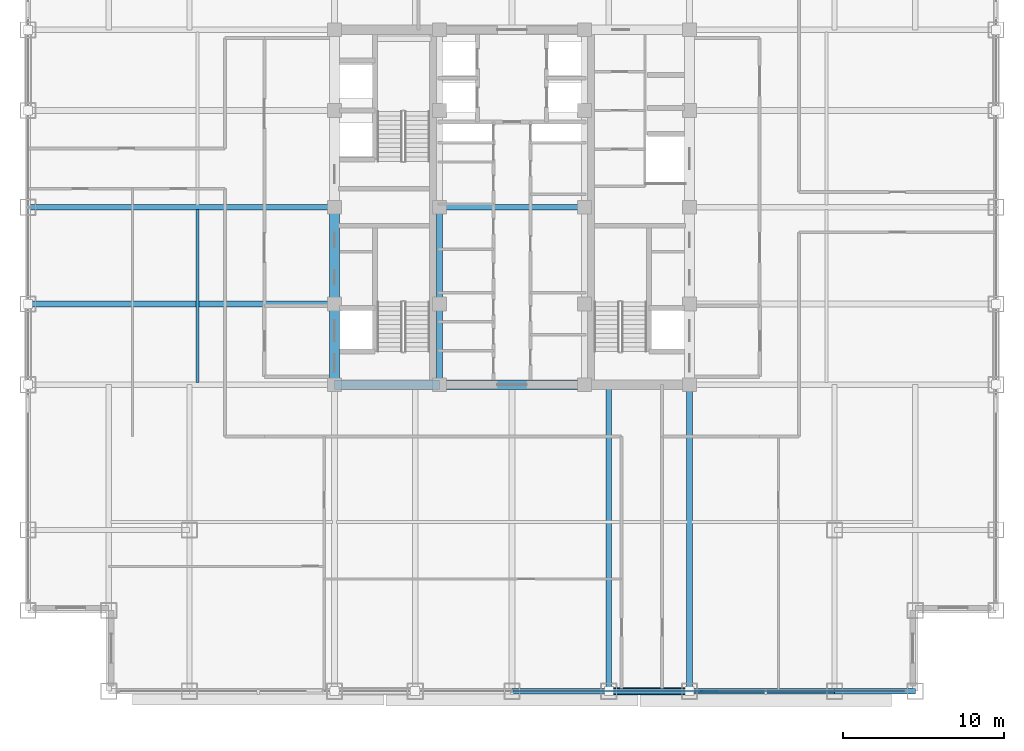
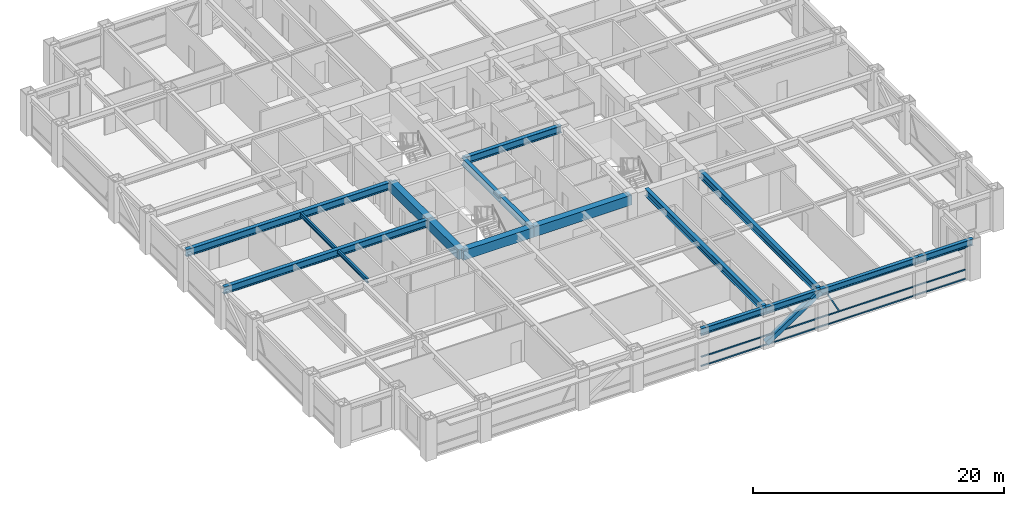
# One storey, part 7 of 29: 16 beams, 5 members, 1 element without a shape of its own.
"""IFC4 building model written with IfcOpenShell, lengths in metres."""

from ifc_helpers import new_model, si_unit, direction, frame, origin, origin_2d, place, context, subcontext, project, spatial, rectangle, hollow_rectangle, i_section, extrude, source, transform, mapped, material, material_profile, profile_set, type_object, element, aggregate, save


model = new_model("IFC4")

# Units and contexts
model_context = context("Model", 3, precision=1e-05, world=origin(), true_north=direction((0.0, 1.0)))
body_context = subcontext(model_context, "Body", "Model", "MODEL_VIEW")
ifc_project = project(units=[si_unit("LENGTHUNIT", "METRE"), si_unit("AREAUNIT", "SQUARE_METRE"), si_unit("VOLUMEUNIT", "CUBIC_METRE"), si_unit("PLANEANGLEUNIT", "RADIAN"), si_unit("MASSUNIT", "GRAM", prefix="KILO")], contexts=[model_context])

# Site, building, storey
site_placement = place(None, origin())
site = spatial("IfcSite", under=ifc_project, at=site_placement, CompositionType="ELEMENT")
building_placement = place(site_placement, origin())
building = spatial("IfcBuilding", under=site, at=building_placement, Name="Khorayat Bourse Tower", CompositionType="ELEMENT")
storey_placement = place(building_placement, frame((0.0, 0.0, 239.10009765625)))
storey = spatial("IfcBuildingStorey", under=building, at=storey_placement, Name="L56", CompositionType="ELEMENT", Elevation=239.10009765625)

# Beams
ifc_material_1 = material(Name="Steel ASTM A992 Grade 50", Category="steel")
ifc_material_profile_1 = material_profile(ifc_material_1, i_section(OverallWidth=0.35498046875, OverallDepth=0.695068359375, WebThickness=0.015380859375, FlangeThickness=0.02490234375, FilletRadius=0.01806640625, at=origin_2d()), Name="W690X217")
ifc_profile_set_1 = profile_set([ifc_material_profile_1], Name="Steel ASTM A992 Grade 50")
beam_type_1 = type_object("IfcBeamType", Name="BM-GIRD-690", PredefinedType="BEAM", material=ifc_profile_set_1)
shared_shape_1 = source(origin(), body_context, "Body", "SweptSolid", [
    extrude(i_section(OverallWidth=0.35498046875, OverallDepth=0.695068359375, WebThickness=0.015380859375, FlangeThickness=0.02490234375, FilletRadius=0.01806640625, at=origin_2d()), origin(), (0.0, 0.0, 1.0), 5.0),
])
beam_1_placement = place(storey_placement, frame((-4.5, -11.0, 3.432373046875), z_axis=(0.0, 1.0, 0.0), x_axis=(-1.0, 0.0, 0.0)))
element("IfcBeam", 1, at=beam_1_placement, inside=storey, type_object=beam_type_1, Name="L56 BM-GIRD-690 BM-L56-CRX-05", PredefinedType="BEAM", context=body_context, shape_type="MappedRepresentation", body=[
    mapped(shared_shape_1, transform((0.0, 0.0, 0.0), scale=1.0)),
])
shared_shape_2 = source(origin(), body_context, "Body", "SweptSolid", [
    extrude(i_section(OverallWidth=0.35498046875, OverallDepth=0.695068359375, WebThickness=0.015380859375, FlangeThickness=0.02490234375, FilletRadius=0.01806640625, at=origin_2d()), origin(), (0.0, 0.0, 1.0), 6.0),
])
beam_2_placement = place(storey_placement, frame((-4.5, -6.0, 3.432373046875), z_axis=(0.0, 1.0, 0.0), x_axis=(-1.0, 0.0, 0.0)))
element("IfcBeam", 2, at=beam_2_placement, inside=storey, type_object=beam_type_1, Name="L56 BM-GIRD-690 BM-L56-CRX-06", PredefinedType="BEAM", context=body_context, shape_type="MappedRepresentation", body=[
    mapped(shared_shape_2, transform((0.0, 0.0, 0.0), scale=1.0)),
])
shared_shape_3 = source(origin(), body_context, "Body", "SweptSolid", [
    extrude(i_section(OverallWidth=0.35498046875, OverallDepth=0.695068359375, WebThickness=0.015380859375, FlangeThickness=0.02490234375, FilletRadius=0.01806640625, at=origin_2d()), origin(), (0.0, 0.0, 1.0), 9.0),
])
beam_3_placement = place(storey_placement, frame((-4.5, 0.0, 3.432373046875), z_axis=(1.0, 0.0, 0.0), x_axis=(0.0, 1.0, 0.0)))
element("IfcBeam", 3, at=beam_3_placement, inside=storey, type_object=beam_type_1, Name="L56 BM-GIRD-690 BM-L56-CRY-23", PredefinedType="BEAM", context=body_context, shape_type="MappedRepresentation", body=[
    mapped(shared_shape_3, transform((0.0, 0.0, 0.0), scale=1.0)),
])
ifc_material_profile_2 = material_profile(ifc_material_1, i_section(OverallWidth=0.180908203125, OverallDepth=0.4169921875, WebThickness=0.010986328125, FlangeThickness=0.018310546875, FilletRadius=0.011962890625, at=origin_2d()), Name="W410X85")
ifc_profile_set_2 = profile_set([ifc_material_profile_2], Name="Steel ASTM A992 Grade 50")
beam_type_2 = type_object("IfcBeamType", Name="BM-JOIST-410", PredefinedType="JOIST", material=ifc_profile_set_2)
shared_shape_4 = source(origin(), body_context, "Body", "SweptSolid", [
    extrude(i_section(OverallWidth=0.180908203125, OverallDepth=0.4169921875, WebThickness=0.010986328125, FlangeThickness=0.018310546875, FilletRadius=0.011962890625, at=origin_2d()), origin(), (0.0, 0.0, 1.0), 10.740234375),
])
beam_4_placement = place(storey_placement, frame((-19.5, -10.8701171875, 3.5712890625), z_axis=(0.0, 1.0, 0.0), x_axis=(-1.0, 0.0, 0.0)))
element("IfcBeam", 4, at=beam_4_placement, inside=storey, type_object=beam_type_2, Name="L56 BM-JOIST-410 BM-L56-JSTY-102", PredefinedType="JOIST", context=body_context, shape_type="MappedRepresentation", body=[
    mapped(shared_shape_4, transform((0.0, 0.0, 0.0), scale=1.0)),
])
ifc_material_profile_3 = material_profile(ifc_material_1, i_section(OverallWidth=0.324951171875, OverallDepth=0.615966796875, WebThickness=0.013916015625, FlangeThickness=0.021484375, FilletRadius=0.01611328125, at=origin_2d()), Name="W610X174")
ifc_profile_set_3 = profile_set([ifc_material_profile_3], Name="Steel ASTM A992 Grade 50")
beam_type_3 = type_object("IfcBeamType", Name="BM-SPAN-610", PredefinedType="SPANDREL", material=ifc_profile_set_3)
shared_shape_5 = source(origin(), body_context, "Body", "SweptSolid", [
    extrude(i_section(OverallWidth=0.324951171875, OverallDepth=0.615966796875, WebThickness=0.013916015625, FlangeThickness=0.021484375, FilletRadius=0.01611328125, at=origin_2d()), origin(), (0.0, 0.0, 1.0), 9.0),
])
beam_5_placement = place(storey_placement, frame((11.0, -30.0, 3.471923828125), z_axis=(1.0, 0.0, 0.0), x_axis=(0.0, 1.0, 0.0)))
element("IfcBeam", 5, at=beam_5_placement, inside=storey, type_object=beam_type_3, Name="L56 BM-SPAN-610 BM-L56-SPN-030", PredefinedType="SPANDREL", context=body_context, shape_type="MappedRepresentation", body=[
    mapped(shared_shape_5, transform((0.0, 0.0, 0.0), scale=1.0)),
])
shared_shape_6 = source(origin(), body_context, "Body", "SweptSolid", [
    extrude(i_section(OverallWidth=0.324951171875, OverallDepth=0.615966796875, WebThickness=0.013916015625, FlangeThickness=0.021484375, FilletRadius=0.01611328125, at=origin_2d()), origin(), (0.0, 0.0, 1.0), 5.0),
])
for number, where, z_axis, x_axis, name in (
    (6, (6.0, -30.0, 3.471923828125), (1.0, 0.0, 0.0), (0.0, 1.0, 0.0), "L56 BM-SPAN-610 BM-L56-SPN-029"),
    (7, (20.0, -30.0, 3.471923828125), (1.0, 0.0, 0.0), (0.0, 1.0, 0.0), "L56 BM-SPAN-610 BM-L56-SPN-031"),
):
    element("IfcBeam", number, at=place(storey_placement, frame(where, z_axis=z_axis, x_axis=x_axis)), inside=storey, type_object=beam_type_3, Name=name, PredefinedType="SPANDREL", context=body_context, shape_type="MappedRepresentation", body=[
        mapped(shared_shape_6, transform((0.0, 0.0, 0.0), scale=1.0)),
    ])
shared_shape_7 = source(origin(), body_context, "Body", "SweptSolid", [
    extrude(i_section(OverallWidth=0.324951171875, OverallDepth=0.615966796875, WebThickness=0.013916015625, FlangeThickness=0.021484375, FilletRadius=0.01611328125, at=origin_2d()), origin(), (0.0, 0.0, 1.0), 6.0),
])
beam_6_placement = place(storey_placement, frame((0.0, -30.0, 3.471923828125), z_axis=(1.0, 0.0, 0.0), x_axis=(0.0, 1.0, 0.0)))
element("IfcBeam", 8, at=beam_6_placement, inside=storey, type_object=beam_type_3, Name="L56 BM-SPAN-610 BM-L56-SPN-028", PredefinedType="SPANDREL", context=body_context, shape_type="MappedRepresentation", body=[
    mapped(shared_shape_7, transform((0.0, 0.0, 0.0), scale=1.0)),
])
ifc_material_2 = material(Name="Concrete C60/75", Category="concrete")
ifc_material_profile_4 = material_profile(ifc_material_2, rectangle(XDim=0.60009765625, YDim=0.949951171875, at=origin_2d()), Name="RC 600x950")
ifc_profile_set_4 = profile_set([ifc_material_profile_4], Name="Concrete C60/75")
beam_type_4 = type_object("IfcBeamType", Name="BM-COUP-950", PredefinedType="BEAM", material=ifc_profile_set_4)
shared_shape_8 = source(origin(), body_context, "Body", "SweptSolid", [
    extrude(rectangle(XDim=0.60009765625, YDim=0.949951171875, at=origin_2d()), origin(), (0.0, 0.0, 1.0), 5.0),
])
beam_7_placement = place(storey_placement, frame((-11.0, -11.0, 3.304931640625), z_axis=(0.0, 1.0, 0.0), x_axis=(-1.0, 0.0, 0.0)))
element("IfcBeam", 9, at=beam_7_placement, inside=storey, type_object=beam_type_4, Name="L56 BM-COUP-950 BM-L56-CRX-01", PredefinedType="BEAM", context=body_context, shape_type="MappedRepresentation", body=[
    mapped(shared_shape_8, transform((0.0, 0.0, 0.0), scale=1.0)),
])
shared_shape_9 = source(origin(), body_context, "Body", "SweptSolid", [
    extrude(rectangle(XDim=0.60009765625, YDim=0.949951171875, at=origin_2d()), origin(), (0.0, 0.0, 1.0), 6.0),
])
beam_8_placement = place(storey_placement, frame((-11.0, -6.0, 3.304931640625), z_axis=(0.0, 1.0, 0.0), x_axis=(-1.0, 0.0, 0.0)))
element("IfcBeam", 10, at=beam_8_placement, inside=storey, type_object=beam_type_4, Name="L56 BM-COUP-950 BM-L56-CRX-02", PredefinedType="BEAM", context=body_context, shape_type="MappedRepresentation", body=[
    mapped(shared_shape_9, transform((0.0, 0.0, 0.0), scale=1.0)),
])
shared_shape_10 = source(origin(), body_context, "Body", "SweptSolid", [
    extrude(rectangle(XDim=0.60009765625, YDim=0.949951171875, at=origin_2d()), origin(), (0.0, 0.0, 1.0), 6.5),
])
beam_9_placement = place(storey_placement, frame((-11.0, -11.0, 3.304931640625), z_axis=(1.0, 0.0, 0.0), x_axis=(0.0, 1.0, 0.0)))
element("IfcBeam", 11, at=beam_9_placement, inside=storey, type_object=beam_type_4, Name="L56 BM-COUP-950 BM-L56-CRY-17", PredefinedType="BEAM", context=body_context, shape_type="MappedRepresentation", body=[
    mapped(shared_shape_10, transform((0.0, 0.0, 0.0), scale=1.0)),
])
shared_shape_11 = source(origin(), body_context, "Body", "SweptSolid", [
    extrude(rectangle(XDim=0.60009765625, YDim=0.949951171875, at=origin_2d()), origin(), (0.0, 0.0, 1.0), 9.0),
])
beam_10_placement = place(storey_placement, frame((-4.5, -11.0, 3.304931640625), z_axis=(1.0, 0.0, 0.0), x_axis=(0.0, 1.0, 0.0)))
element("IfcBeam", 12, at=beam_10_placement, inside=storey, type_object=beam_type_4, Name="L56 BM-COUP-950 BM-L56-CRY-18", PredefinedType="BEAM", context=body_context, shape_type="MappedRepresentation", body=[
    mapped(shared_shape_11, transform((0.0, 0.0, 0.0), scale=1.0)),
])
shared_shape_12 = source(origin(), body_context, "Body", "SweptSolid", [
    extrude(i_section(OverallWidth=0.35498046875, OverallDepth=0.695068359375, WebThickness=0.015380859375, FlangeThickness=0.02490234375, FilletRadius=0.01806640625, at=origin_2d()), origin(), (0.0, 0.0, 1.0), 19.0),
])
for number, where, z_axis, x_axis, name in (
    (13, (6.0, -30.0, 3.432373046875), (0.0, 1.0, 0.0), (-1.0, 0.0, 0.0), "L56 BM-GIRD-690 BM-L56-RADY-071"),
    (14, (11.0, -30.0, 3.432373046875), (0.0, 1.0, 0.0), (-1.0, 0.0, 0.0), "L56 BM-GIRD-690 BM-L56-RADY-073"),
    (15, (-30.0, -6.0, 3.432373046875), (1.0, 0.0, 0.0), (0.0, 1.0, 0.0), "L56 BM-GIRD-690 BM-L56-RADX-077"),
    (16, (-30.0, 0.0, 3.432373046875), (1.0, 0.0, 0.0), (0.0, 1.0, 0.0), "L56 BM-GIRD-690 BM-L56-RADX-079"),
):
    element("IfcBeam", number, at=place(storey_placement, frame(where, z_axis=z_axis, x_axis=x_axis)), inside=storey, type_object=beam_type_1, Name=name, PredefinedType="BEAM", context=body_context, shape_type="MappedRepresentation", body=[
        mapped(shared_shape_12, transform((0.0, 0.0, 0.0), scale=1.0)),
    ])

# Member
ifc_material_3 = material(Name="Steel EN 10025-4 S460M", Category="steel")
ifc_material_profile_5 = material_profile(ifc_material_3, hollow_rectangle(XDim=0.449951171875, YDim=0.449951171875, WallThickness=0.02490234375, at=origin_2d()), Name="HSS 450x450x25")
ifc_profile_set_5 = profile_set([ifc_material_profile_5], Name="Steel EN 10025-4 S460M")
member_type_1 = type_object("IfcMemberType", Name="MBR-TUBE-450", PredefinedType="BRACE", material=ifc_profile_set_5)
shared_shape_13 = source(origin(), body_context, "Body", "SweptSolid", [
    extrude(hollow_rectangle(XDim=0.449951171875, YDim=0.449951171875, WallThickness=0.02490234375, at=origin_2d()), origin(), (0.0, 0.0, 1.0), 5.979736328125),
])
member_1_placement = place(storey_placement, frame((6.0, -30.0, 0.25), z_axis=(0.836160261256, 0.0, 0.548485202623), x_axis=(0.0, 1.0, 0.0)))
element("IfcMember", 17, at=member_1_placement, inside=storey, type_object=member_type_1, Name="L56 Perimeter Tube Brace 02", PredefinedType="BRACE", context=body_context, shape_type="MappedRepresentation", body=[
    mapped(shared_shape_13, transform((0.0, 0.0, 0.0), scale=1.0)),
])

# Curtain wall, members
ifc_material_4 = material(Name="Aluminium EN AW-6063 T6", Category="aluminium")
curtain_wall_type = type_object("IfcCurtainWallType", Name="CW-SYS-03", PredefinedType="NOTDEFINED", material=ifc_material_4)
curtain_wall_placement = place(storey_placement, origin())
curtain_wall = element("IfcCurtainWall", 18, at=curtain_wall_placement, inside=storey, type_object=curtain_wall_type, Name="L56 Curtain Wall CW-L56-S1", PredefinedType="NOTDEFINED")
ifc_material_profile_6 = material_profile(ifc_material_4, hollow_rectangle(XDim=0.1201171875, YDim=0.1201171875, WallThickness=0.0048828125, at=origin_2d()), Name="ALU 120x120x5")
ifc_profile_set_6 = profile_set([ifc_material_profile_6], Name="Aluminium EN AW-6063 T6")
member_type_2 = type_object("IfcMemberType", Name="CWM-DIAG-120", PredefinedType="MULLION", material=ifc_profile_set_6)
shared_shape_14 = source(origin(), body_context, "Body", "SweptSolid", [
    extrude(hollow_rectangle(XDim=0.1201171875, YDim=0.1201171875, WallThickness=0.0048828125, at=origin_2d()), origin(), (0.0, 0.0, 1.0), 2.079345703125),
])
member_2_placement = place(storey_placement, frame((12.67919921875, -30.0, 1.08984375), z_axis=(-0.465760949701, 0.0, 0.884910581773), x_axis=(0.0, -1.0, 0.0)))
member_2 = element("IfcMember", 19, at=member_2_placement, type_object=member_type_2, Name="CW-L56-S1 Faceted Diagonal Mullion 2", PredefinedType="MULLION", context=body_context, shape_type="MappedRepresentation", body=[
    mapped(shared_shape_14, transform((0.0, 0.0, 0.0), scale=1.0)),
])
ifc_material_profile_7 = material_profile(ifc_material_4, hollow_rectangle(XDim=0.1201171875, YDim=0.1201171875, WallThickness=0.0048828125, at=origin_2d()), Name="ALU 120x120x5")
ifc_profile_set_7 = profile_set([ifc_material_profile_7], Name="Aluminium EN AW-6063 T6")
member_type_3 = type_object("IfcMemberType", Name="CWT-HORZ-120", PredefinedType="USERDEFINED", material=ifc_profile_set_7)
shared_shape_15 = source(origin(), body_context, "Body", "SweptSolid", [
    extrude(hollow_rectangle(XDim=0.1201171875, YDim=0.1201171875, WallThickness=0.0048828125, at=origin_2d()), origin(), (0.0, 0.0, 1.0), 24.27001953125),
])
member_3_placement = place(storey_placement, frame((0.06005859375, -30.0, 0.059814453125), z_axis=(1.0, 0.0, 0.0), x_axis=(0.0, 1.0, 0.0)))
member_3 = element("IfcMember", 20, at=member_3_placement, type_object=member_type_3, Name="CW-L56-S1 Horizontal Transom 2-1", ObjectType="TRANSOM", PredefinedType="USERDEFINED", context=body_context, shape_type="MappedRepresentation", body=[
    mapped(shared_shape_15, transform((0.0, 0.0, 0.0), scale=1.0)),
])
member_4_placement = place(storey_placement, frame((0.06005859375, -30.0, 0.949951171875), z_axis=(1.0, 0.0, 0.0), x_axis=(0.0, 1.0, 0.0)))
member_4 = element("IfcMember", 21, at=member_4_placement, type_object=member_type_3, Name="CW-L56-S1 Horizontal Transom 2-2", ObjectType="TRANSOM", PredefinedType="USERDEFINED", context=body_context, shape_type="MappedRepresentation", body=[
    mapped(shared_shape_15, transform((0.0, 0.0, 0.0), scale=1.0)),
])
member_5_placement = place(storey_placement, frame((0.06005859375, -30.0, 3.06982421875), z_axis=(1.0, 0.0, 0.0), x_axis=(0.0, 1.0, 0.0)))
member_5 = element("IfcMember", 22, at=member_5_placement, type_object=member_type_3, Name="CW-L56-S1 Horizontal Transom 2-3", ObjectType="TRANSOM", PredefinedType="USERDEFINED", context=body_context, shape_type="MappedRepresentation", body=[
    mapped(shared_shape_15, transform((0.0, 0.0, 0.0), scale=1.0)),
])
aggregate(curtain_wall, [member_3, member_4, member_5, member_2])

save(model, "model.ifc")
